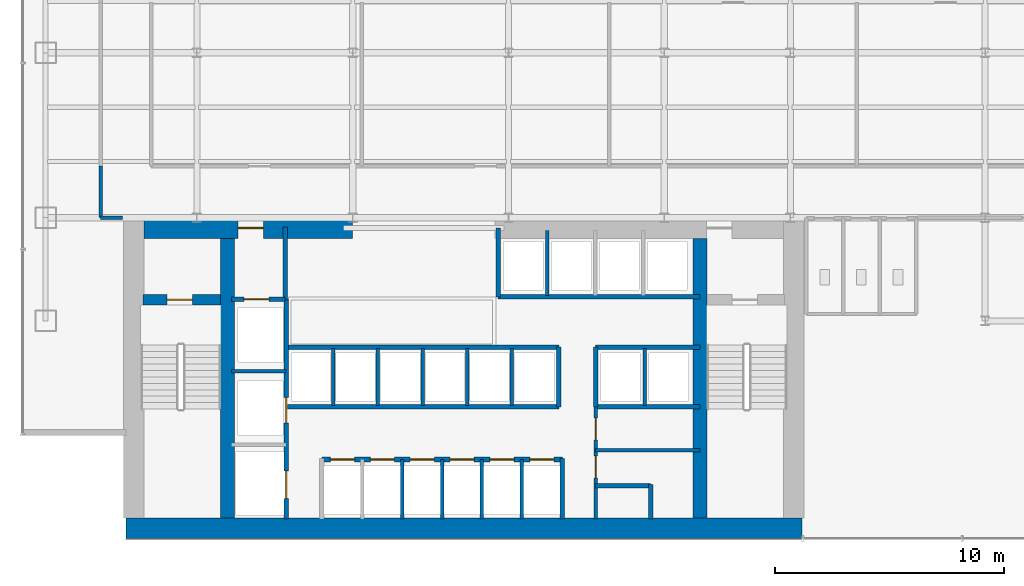
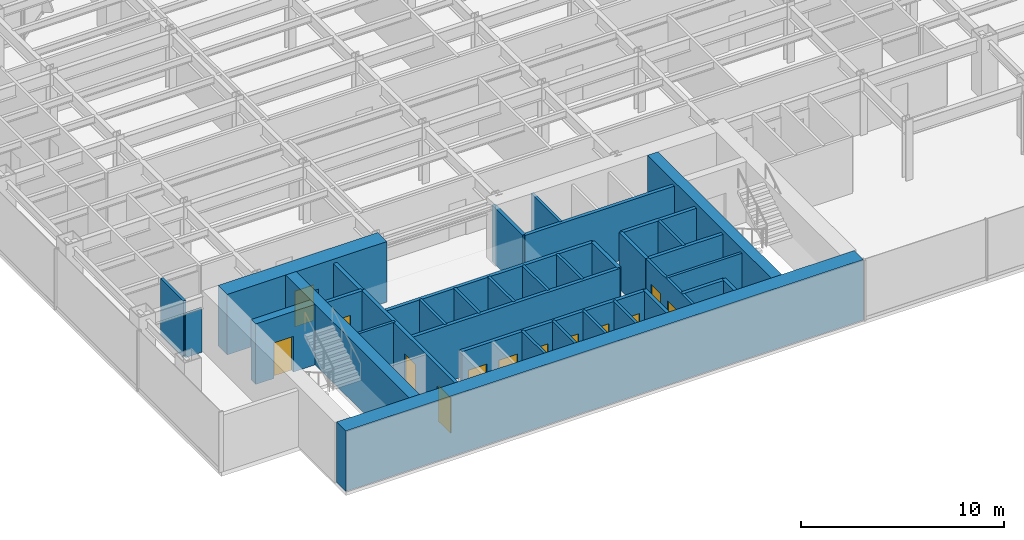
# One storey, part 17 of 22: 36 walls, 13 doors, 13 openings.
"""IFC4 building model written with IfcOpenShell, lengths in metres."""

from ifc_helpers import new_model, si_unit, derived_unit, direction, frame, frame_2d, origin, place, context, subcontext, project, spatial, rectangle, extrude, source, transform, mapped, material, layer, layer_set, type_object, element, fill, save


model = new_model("IFC4")

# Units and contexts
model_context = context("Model", 3, precision=1e-05, world=origin(), true_north=direction((0.0, 1.0)))
body_context = subcontext(model_context, "Body", "Model", "MODEL_VIEW")
ifc_project = project(units=[si_unit("LENGTHUNIT", "METRE"), si_unit("AREAUNIT", "SQUARE_METRE"), si_unit("VOLUMEUNIT", "CUBIC_METRE"), si_unit("PLANEANGLEUNIT", "RADIAN"), si_unit("MASSUNIT", "GRAM", prefix="KILO"), derived_unit("THERMALTRANSMITTANCEUNIT", [(si_unit("POWERUNIT", "WATT"), 1), (si_unit("LENGTHUNIT", "METRE"), -2), (si_unit("THERMODYNAMICTEMPERATUREUNIT", "KELVIN"), -1)])], contexts=[model_context])

# Site, building, storey
site_placement = place(None, origin())
site = spatial("IfcSite", under=ifc_project, at=site_placement, CompositionType="ELEMENT")
building_placement = place(site_placement, origin())
building = spatial("IfcBuilding", under=site, at=building_placement, Name="Skarnbrae Concourse Arena and Tower", CompositionType="ELEMENT")
storey_placement = place(building_placement, frame((0.0, 0.0, 32.5)))
storey = spatial("IfcBuildingStorey", under=building, at=storey_placement, Name="L06", CompositionType="ELEMENT", Elevation=32.5)

# Wall
ifc_material_1 = material(Name="Concrete 70 MPa (C70/85)", Category="concrete")
ifc_layer_1 = layer(ifc_material_1, 0.89990234375)
ifc_layer_set_1 = layer_set([ifc_layer_1], Name="Concrete 70 MPa (C70/85)")
wall_type_1 = type_object("IfcWallType", Name="WALL-CORE-900-C70", PredefinedType="SHEAR", material=ifc_layer_set_1)
shared_shape_1 = source(origin(), body_context, "Body", "SweptSolid", [
    extrude(rectangle(XDim=29.5, YDim=0.89990234375, at=frame_2d((14.75, 0.0))), origin(), (0.0, 0.0, 1.0), 3.64990234375),
])
wall_1_placement = place(storey_placement, frame((4.5, 0.449951171875, 0.0), z_axis=(0.0, 0.0, 1.0), x_axis=(1.0, 0.0, 0.0)))
element("IfcWall", 1, at=wall_1_placement, inside=storey, type_object=wall_type_1, Name="L06 Rear core shear wall CW-S", PredefinedType="SHEAR", context=body_context, shape_type="MappedRepresentation", body=[
    mapped(shared_shape_1, transform((0.0, 0.0, 0.0))),
])

# Wall, opening, door
shared_shape_2 = source(origin(), body_context, "Body", "SweptSolid", [
    extrude(rectangle(XDim=9.099853515625, YDim=0.89990234375, at=frame_2d((4.5498046875, 0.0))), origin(), (0.0, 0.0, 1.0), 3.64990234375),
])
wall_2_placement = place(storey_placement, frame((5.300048828125, 13.550048828125, 0.0), z_axis=(0.0, 0.0, 1.0), x_axis=(1.0, 0.0, 0.0)))
wall_2 = element("IfcWall", 2, at=wall_2_placement, inside=storey, type_object=wall_type_1, Name="L06 Rear core shear wall CW-NW", PredefinedType="SHEAR", context=body_context, shape_type="MappedRepresentation", body=[
    mapped(shared_shape_2, transform((0.0, 0.0, 0.0))),
])
opening_1_placement = place(wall_2_placement, frame((4.10009765625, 0.0, 0.0)))
opening_1 = element("IfcOpeningElement", 3, at=opening_1_placement, cuts=wall_2, Name="Opening DT-03", PredefinedType="OPENING", context=body_context, shape_type="SweptSolid", body=[
    extrude(rectangle(XDim=1.10009765625, YDim=2.14990234375, at=frame_2d((0.550048828125, 1.074951171875))), frame((0.0, 0.4599609375, 0.0), z_axis=(0.0, -1.0, 0.0), x_axis=(1.0, 0.0, 0.0)), (0.0, 0.0, 1.0), 0.919921875),
])
ifc_material_2 = material(Name="Steel CSA G40.21 350W", Category="steel")
door_type_1 = type_object("IfcDoorType", Name="DOOR-FIRE-1100-90M", OperationType="NOTDEFINED", PredefinedType="DOOR", material=ifc_material_2)
shared_shape_3 = source(origin(), body_context, "Body", "SweptSolid", [
    extrude(rectangle(XDim=1.10009765625, YDim=2.14990234375, at=frame_2d((0.550048828125, 1.074951171875))), frame((0.0, 0.02490234375, 0.0), z_axis=(0.0, -1.0, 0.0), x_axis=(1.0, 0.0, 0.0)), (0.0, 0.0, 1.0), 0.050048828125),
])
door_1_placement = place(opening_1_placement, origin())
door_1 = element("IfcDoor", 4, at=door_1_placement, inside=storey, type_object=door_type_1, Name="D-0330 Firefighting Lobby Exit Door", OperationType="SINGLE_SWING_RIGHT", OverallHeight=2.14990234375, OverallWidth=1.10009765625, PredefinedType="DOOR", context=body_context, shape_type="MappedRepresentation", body=[
    mapped(shared_shape_3, transform((0.0, 0.0, 0.0))),
])
fill(opening_1, door_1)

# Walls
ifc_layer_2 = layer(ifc_material_1, 0.60009765625)
ifc_layer_set_2 = layer_set([ifc_layer_2], Name="Concrete 70 MPa (C70/85)")
wall_type_2 = type_object("IfcWallType", Name="WALL-CORE-600-C70", PredefinedType="SHEAR", material=ifc_layer_set_2)
shared_shape_4 = source(origin(), body_context, "Body", "SweptSolid", [
    extrude(rectangle(XDim=12.2001953125, YDim=0.60009765625, at=frame_2d((6.10009765625, 0.0))), origin(), (0.0, 0.0, 1.0), 3.64990234375),
])
for number, where, z_axis, x_axis, name in (
    (5, (8.93994140625, 0.89990234375, 0.0), (0.0, 0.0, 1.0), (0.0, 1.0, 0.0), "L06 Rear core shear wall CW-WEB-W"),
    (6, (29.56005859375, 0.89990234375, 0.0), (0.0, 0.0, 1.0), (0.0, 1.0, 0.0), "L06 Rear core shear wall CW-WEB-E"),
):
    element("IfcWall", number, at=place(storey_placement, frame(where, z_axis=z_axis, x_axis=x_axis)), inside=storey, type_object=wall_type_2, Name=name, PredefinedType="SHEAR", context=body_context, shape_type="MappedRepresentation", body=[
        mapped(shared_shape_4, transform((0.0, 0.0, 0.0))),
    ])

# Wall, opening, door
ifc_material_3 = material(Name="Concrete 50 MPa (C50/60)", Category="concrete")
ifc_layer_3 = layer(ifc_material_3, 0.449951171875)
ifc_layer_set_3 = layer_set([ifc_layer_3], Name="Concrete 50 MPa (C50/60)")
wall_type_3 = type_object("IfcWallType", Name="WALL-CORE-450-C50", PredefinedType="SHEAR", material=ifc_layer_set_3)
shared_shape_5 = source(origin(), body_context, "Body", "SweptSolid", [
    extrude(rectangle(XDim=3.389892578125, YDim=0.449951171875, at=frame_2d((1.69482421875, 0.0))), origin(), (0.0, 0.0, 1.0), 3.64990234375),
])
wall_3_placement = place(storey_placement, frame((5.25, 10.419921875, 0.0), z_axis=(0.0, 0.0, 1.0), x_axis=(1.0, 0.0, 0.0)))
wall_3 = element("IfcWall", 7, at=wall_3_placement, inside=storey, type_object=wall_type_3, Name="L06 Rear core shear wall CW-ST1-N", PredefinedType="SHEAR", context=body_context, shape_type="MappedRepresentation", body=[
    mapped(shared_shape_5, transform((0.0, 0.0, 0.0))),
])
opening_2_placement = place(wall_3_placement, frame((1.050048828125, 0.0, 0.0)))
opening_2 = element("IfcOpeningElement", 8, at=opening_2_placement, cuts=wall_3, Name="Opening DT-03", PredefinedType="OPENING", context=body_context, shape_type="SweptSolid", body=[
    extrude(rectangle(XDim=1.10009765625, YDim=2.14990234375, at=frame_2d((0.550048828125, 1.074951171875))), frame((0.0, 0.23486328125, 0.0), z_axis=(0.0, -1.0, 0.0), x_axis=(1.0, 0.0, 0.0)), (0.0, 0.0, 1.0), 0.469970703125),
])
door_2_placement = place(opening_2_placement, frame((1.10009765625, 0.0, 0.0), z_axis=(0.0, 0.0, 1.0), x_axis=(-1.0, 0.0, 0.0)))
door_2 = element("IfcDoor", 9, at=door_2_placement, inside=storey, type_object=door_type_1, Name="D-0328 Stair ST-1 Door", OperationType="SINGLE_SWING_LEFT", OverallHeight=2.14990234375, OverallWidth=1.10009765625, PredefinedType="DOOR", context=body_context, shape_type="MappedRepresentation", body=[
    mapped(shared_shape_3, transform((0.0, 0.0, 0.0))),
])
fill(opening_2, door_2)

# Wall
ifc_material_4 = material(Name="Gypsum board on cold-formed steel studs", Category="steel")
ifc_layer_4 = layer(ifc_material_4, 0.199951171875)
ifc_layer_set_4 = layer_set([ifc_layer_4], Name="Gypsum board on cold-formed steel studs")
wall_type_4 = type_object("IfcWallType", Name="WALL-PART-200-2HR", PredefinedType="PARTITIONING", material=ifc_layer_set_4)
shared_shape_6 = source(origin(), body_context, "Body", "SweptSolid", [
    extrude(rectangle(XDim=3.18017578125, YDim=0.199951171875, at=frame_2d((1.590087890625, 0.0))), origin(), (0.0, 0.0, 1.0), 3.39990234375),
])
wall_4_placement = place(storey_placement, frame((11.449951171875, 10.419921875, 0.0), z_axis=(0.0, 0.0, 1.0), x_axis=(0.0, 1.0, 0.0)))
element("IfcWall", 10, at=wall_4_placement, inside=storey, type_object=wall_type_4, Name="L06 Interior partition wall W-L06-FFL-E", PredefinedType="PARTITIONING", context=body_context, shape_type="MappedRepresentation", body=[
    mapped(shared_shape_6, transform((0.0, 0.0, 0.0))),
])

# Wall, opening, door
shared_shape_7 = source(origin(), body_context, "Body", "SweptSolid", [
    extrude(rectangle(XDim=2.349853515625, YDim=0.199951171875, at=frame_2d((1.1748046875, 0.0))), origin(), (0.0, 0.0, 1.0), 3.39990234375),
])
wall_5_placement = place(storey_placement, frame((9.10009765625, 10.449951171875, 0.0), z_axis=(0.0, 0.0, 1.0), x_axis=(1.0, 0.0, 0.0)))
wall_5 = element("IfcWall", 11, at=wall_5_placement, inside=storey, type_object=wall_type_4, Name="L06 Interior partition wall W-L06-FL1-N", PredefinedType="PARTITIONING", context=body_context, shape_type="MappedRepresentation", body=[
    mapped(shared_shape_7, transform((0.0, 0.0, 0.0))),
])
opening_3_placement = place(wall_5_placement, frame((0.550048828125, 0.0, 0.0)))
opening_3 = element("IfcOpeningElement", 12, at=opening_3_placement, cuts=wall_5, Name="Opening LD-01", PredefinedType="OPENING", context=body_context, shape_type="SweptSolid", body=[
    extrude(rectangle(XDim=1.10009765625, YDim=2.14990234375, at=frame_2d((0.550048828125, 1.074951171875))), frame((0.0, 0.10986328125, 0.0), z_axis=(0.0, -1.0, 0.0), x_axis=(1.0, 0.0, 0.0)), (0.0, 0.0, 1.0), 0.219970703125),
])
door_type_2 = type_object("IfcDoorType", Name="DOOR-LIFT-SLIDE-1100", OperationType="SLIDING_TO_LEFT", PredefinedType="DOOR", material=ifc_material_2)
door_3_placement = place(opening_3_placement, origin())
door_3 = element("IfcDoor", 13, at=door_3_placement, inside=storey, type_object=door_type_2, Name="D-0332 Firefighting Lift Landing Door FL-01", OperationType="SLIDING_TO_LEFT", OverallHeight=2.14990234375, OverallWidth=1.10009765625, PredefinedType="DOOR", context=body_context, shape_type="MappedRepresentation", body=[
    mapped(shared_shape_3, transform((0.0, 0.0, 0.0))),
])
fill(opening_3, door_3)

# Wall, openings, doors
shared_shape_8 = source(origin(), body_context, "Body", "SweptSolid", [
    extrude(rectangle(XDim=9.599853515625, YDim=0.199951171875, at=frame_2d((4.7998046875, 0.0))), origin(), (0.0, 0.0, 1.0), 3.39990234375),
])
wall_6_placement = place(storey_placement, frame((11.5, 0.85009765625, 0.0), z_axis=(0.0, 0.0, 1.0), x_axis=(0.0, 1.0, 0.0)))
wall_6 = element("IfcWall", 14, at=wall_6_placement, inside=storey, type_object=wall_type_4, Name="L06 Interior partition wall W-L06-FL-E", PredefinedType="PARTITIONING", context=body_context, shape_type="MappedRepresentation", body=[
    mapped(shared_shape_8, transform((0.0, 0.0, 0.0))),
])
opening_4_placement = place(wall_6_placement, frame((4.199951171875, 0.0, 0.0)))
opening_4 = element("IfcOpeningElement", 15, at=opening_4_placement, cuts=wall_6, Name="Opening LD-01", PredefinedType="OPENING", context=body_context, shape_type="SweptSolid", body=[
    extrude(rectangle(XDim=1.10009765625, YDim=2.14990234375, at=frame_2d((0.550048828125, 1.074951171875))), frame((0.0, 0.10986328125, 0.0), z_axis=(0.0, -1.0, 0.0), x_axis=(1.0, 0.0, 0.0)), (0.0, 0.0, 1.0), 0.219970703125),
])
opening_5_placement = place(wall_6_placement, frame((0.89990234375, 0.0, 0.0)))
opening_5 = element("IfcOpeningElement", 16, at=opening_5_placement, cuts=wall_6, Name="Opening LD-02", PredefinedType="OPENING", context=body_context, shape_type="SweptSolid", body=[
    extrude(rectangle(XDim=1.199951171875, YDim=2.14990234375, at=frame_2d((0.60009765625, 1.074951171875))), frame((0.0, 0.10986328125, 0.0), z_axis=(0.0, -1.0, 0.0), x_axis=(1.0, 0.0, 0.0)), (0.0, 0.0, 1.0), 0.219970703125),
])
door_4_placement = place(opening_4_placement, frame((1.10009765625, 0.0, 0.0), z_axis=(0.0, 0.0, 1.0), x_axis=(-1.0, 0.0, 0.0)))
door_4 = element("IfcDoor", 17, at=door_4_placement, inside=storey, type_object=door_type_2, Name="D-0333 Firefighting Lift Landing Door FL-02", OperationType="SLIDING_TO_LEFT", OverallHeight=2.14990234375, OverallWidth=1.10009765625, PredefinedType="DOOR", context=body_context, shape_type="MappedRepresentation", body=[
    mapped(shared_shape_3, transform((0.0, 0.0, 0.0))),
])
fill(opening_4, door_4)
door_type_3 = type_object("IfcDoorType", Name="DOOR-LIFT-SLIDE-1200", OperationType="SLIDING_TO_LEFT", PredefinedType="DOOR", material=ifc_material_2)
shared_shape_9 = source(origin(), body_context, "Body", "SweptSolid", [
    extrude(rectangle(XDim=1.199951171875, YDim=2.14990234375, at=frame_2d((0.60009765625, 1.074951171875))), frame((0.0, 0.02490234375, 0.0), z_axis=(0.0, -1.0, 0.0), x_axis=(1.0, 0.0, 0.0)), (0.0, 0.0, 1.0), 0.050048828125),
])
door_5_placement = place(opening_5_placement, frame((1.199951171875, 0.0, 0.0), z_axis=(0.0, 0.0, 1.0), x_axis=(-1.0, 0.0, 0.0)))
door_5 = element("IfcDoor", 18, at=door_5_placement, inside=storey, type_object=door_type_3, Name="D-0334 Service Lift Landing Door SV-01", OperationType="SLIDING_TO_LEFT", OverallHeight=2.14990234375, OverallWidth=1.199951171875, PredefinedType="DOOR", context=body_context, shape_type="MappedRepresentation", body=[
    mapped(shared_shape_9, transform((0.0, 0.0, 0.0))),
])
fill(opening_5, door_5)

# Walls
ifc_layer_5 = layer(ifc_material_4, 0.14990234375)
ifc_layer_set_5 = layer_set([ifc_layer_5], Name="Gypsum board on cold-formed steel studs")
wall_type_5 = type_object("IfcWallType", Name="WALL-PART-150", PredefinedType="PARTITIONING", material=ifc_layer_set_5)
shared_shape_10 = source(origin(), body_context, "Body", "SweptSolid", [
    extrude(rectangle(XDim=2.39990234375, YDim=0.14990234375, at=frame_2d((1.199951171875, 0.0))), origin(), (0.0, 0.0, 1.0), 3.39990234375),
])
wall_7_placement = place(storey_placement, frame((9.10009765625, 7.300048828125, 0.0), z_axis=(0.0, 0.0, 1.0), x_axis=(1.0, 0.0, 0.0)))
element("IfcWall", 19, at=wall_7_placement, inside=storey, type_object=wall_type_5, Name="L06 Interior partition wall W-L06-FL-D2", PredefinedType="PARTITIONING", context=body_context, shape_type="MappedRepresentation", body=[
    mapped(shared_shape_10, transform((0.0, 0.0, 0.0))),
])
shared_shape_11 = source(origin(), body_context, "Body", "SweptSolid", [
    extrude(rectangle(XDim=2.64990234375, YDim=0.199951171875, at=frame_2d((1.324951171875, 0.0))), origin(), (0.0, 0.0, 1.0), 3.39990234375),
])
wall_8_placement = place(storey_placement, frame((23.550048828125, 0.85009765625, 0.0), z_axis=(0.0, 0.0, 1.0), x_axis=(0.0, 1.0, 0.0)))
element("IfcWall", 20, at=wall_8_placement, inside=storey, type_object=wall_type_4, Name="L06 Interior partition wall W-L06-B1-E", PredefinedType="PARTITIONING", context=body_context, shape_type="MappedRepresentation", body=[
    mapped(shared_shape_11, transform((0.0, 0.0, 0.0))),
])

# Wall, openings, doors
shared_shape_12 = source(origin(), body_context, "Body", "SweptSolid", [
    extrude(rectangle(XDim=10.5, YDim=0.199951171875, at=frame_2d((5.25, 0.0))), origin(), (0.0, 0.0, 1.0), 3.39990234375),
])
wall_9_placement = place(storey_placement, frame((13.050048828125, 3.449951171875, 0.0), z_axis=(0.0, 0.0, 1.0), x_axis=(1.0, 0.0, 0.0)))
wall_9 = element("IfcWall", 21, at=wall_9_placement, inside=storey, type_object=wall_type_4, Name="L06 Interior partition wall W-L06-B1-N", PredefinedType="PARTITIONING", context=body_context, shape_type="MappedRepresentation", body=[
    mapped(shared_shape_12, transform((0.0, 0.0, 0.0))),
])
opening_6_placement = place(wall_9_placement, frame((0.3798828125, 0.0, 0.0)))
opening_6 = element("IfcOpeningElement", 22, at=opening_6_placement, cuts=wall_9, Name="Opening LD-03", PredefinedType="OPENING", context=body_context, shape_type="SweptSolid", body=[
    extrude(rectangle(XDim=1.050048828125, YDim=2.14990234375, at=frame_2d((0.52490234375, 1.074951171875))), frame((0.0, 0.10986328125, 0.0), z_axis=(0.0, -1.0, 0.0), x_axis=(1.0, 0.0, 0.0)), (0.0, 0.0, 1.0), 0.219970703125),
])
opening_7_placement = place(wall_9_placement, frame((2.1201171875, 0.0, 0.0)))
opening_7 = element("IfcOpeningElement", 23, at=opening_7_placement, cuts=wall_9, Name="Opening LD-03", PredefinedType="OPENING", context=body_context, shape_type="SweptSolid", body=[
    extrude(rectangle(XDim=1.050048828125, YDim=2.14990234375, at=frame_2d((0.52490234375, 1.074951171875))), frame((0.0, 0.10986328125, 0.0), z_axis=(0.0, -1.0, 0.0), x_axis=(1.0, 0.0, 0.0)), (0.0, 0.0, 1.0), 0.219970703125),
])
opening_8_placement = place(wall_9_placement, frame((3.860107421875, 0.0, 0.0)))
opening_8 = element("IfcOpeningElement", 24, at=opening_8_placement, cuts=wall_9, Name="Opening LD-03", PredefinedType="OPENING", context=body_context, shape_type="SweptSolid", body=[
    extrude(rectangle(XDim=1.050048828125, YDim=2.14990234375, at=frame_2d((0.52490234375, 1.074951171875))), frame((0.0, 0.10986328125, 0.0), z_axis=(0.0, -1.0, 0.0), x_axis=(1.0, 0.0, 0.0)), (0.0, 0.0, 1.0), 0.219970703125),
])
opening_9_placement = place(wall_9_placement, frame((5.60009765625, 0.0, 0.0)))
opening_9 = element("IfcOpeningElement", 25, at=opening_9_placement, cuts=wall_9, Name="Opening LD-03", PredefinedType="OPENING", context=body_context, shape_type="SweptSolid", body=[
    extrude(rectangle(XDim=1.050048828125, YDim=2.14990234375, at=frame_2d((0.52490234375, 1.074951171875))), frame((0.0, 0.10986328125, 0.0), z_axis=(0.0, -1.0, 0.0), x_axis=(1.0, 0.0, 0.0)), (0.0, 0.0, 1.0), 0.219970703125),
])
opening_10_placement = place(wall_9_placement, frame((7.340087890625, 0.0, 0.0)))
opening_10 = element("IfcOpeningElement", 26, at=opening_10_placement, cuts=wall_9, Name="Opening LD-03", PredefinedType="OPENING", context=body_context, shape_type="SweptSolid", body=[
    extrude(rectangle(XDim=1.050048828125, YDim=2.14990234375, at=frame_2d((0.52490234375, 1.074951171875))), frame((0.0, 0.10986328125, 0.0), z_axis=(0.0, -1.0, 0.0), x_axis=(1.0, 0.0, 0.0)), (0.0, 0.0, 1.0), 0.219970703125),
])
opening_11_placement = place(wall_9_placement, frame((9.080078125, 0.0, 0.0)))
opening_11 = element("IfcOpeningElement", 27, at=opening_11_placement, cuts=wall_9, Name="Opening LD-03", PredefinedType="OPENING", context=body_context, shape_type="SweptSolid", body=[
    extrude(rectangle(XDim=1.050048828125, YDim=2.14990234375, at=frame_2d((0.52490234375, 1.074951171875))), frame((0.0, 0.10986328125, 0.0), z_axis=(0.0, -1.0, 0.0), x_axis=(1.0, 0.0, 0.0)), (0.0, 0.0, 1.0), 0.219970703125),
])
ifc_material_5 = material(Name="Bronze anodised aluminium 6063-T6", Category="aluminium")
door_type_4 = type_object("IfcDoorType", Name="DOOR-LIFT-SLIDE-1050", OperationType="SLIDING_TO_LEFT", PredefinedType="DOOR", material=ifc_material_5)
shared_shape_13 = source(origin(), body_context, "Body", "SweptSolid", [
    extrude(rectangle(XDim=1.050048828125, YDim=2.14990234375, at=frame_2d((0.52490234375, 1.074951171875))), frame((0.0, 0.02490234375, 0.0), z_axis=(0.0, -1.0, 0.0), x_axis=(1.0, 0.0, 0.0)), (0.0, 0.0, 1.0), 0.050048828125),
])
door_6_placement = place(opening_6_placement, origin())
door_6 = element("IfcDoor", 28, at=door_6_placement, inside=storey, type_object=door_type_4, Name="D-0335 Passenger Lift Landing Door PL-1A", OperationType="SLIDING_TO_LEFT", OverallHeight=2.14990234375, OverallWidth=1.050048828125, PredefinedType="DOOR", context=body_context, shape_type="MappedRepresentation", body=[
    mapped(shared_shape_13, transform((0.0, 0.0, 0.0))),
])
fill(opening_6, door_6)
door_7_placement = place(opening_7_placement, origin())
door_7 = element("IfcDoor", 29, at=door_7_placement, inside=storey, type_object=door_type_4, Name="D-0336 Passenger Lift Landing Door PL-1B", OperationType="SLIDING_TO_LEFT", OverallHeight=2.14990234375, OverallWidth=1.050048828125, PredefinedType="DOOR", context=body_context, shape_type="MappedRepresentation", body=[
    mapped(shared_shape_13, transform((0.0, 0.0, 0.0))),
])
fill(opening_7, door_7)
door_8_placement = place(opening_8_placement, origin())
door_8 = element("IfcDoor", 30, at=door_8_placement, inside=storey, type_object=door_type_4, Name="D-0337 Passenger Lift Landing Door PL-1C", OperationType="SLIDING_TO_LEFT", OverallHeight=2.14990234375, OverallWidth=1.050048828125, PredefinedType="DOOR", context=body_context, shape_type="MappedRepresentation", body=[
    mapped(shared_shape_13, transform((0.0, 0.0, 0.0))),
])
fill(opening_8, door_8)
door_9_placement = place(opening_9_placement, origin())
door_9 = element("IfcDoor", 31, at=door_9_placement, inside=storey, type_object=door_type_4, Name="D-0338 Passenger Lift Landing Door PL-1D", OperationType="SLIDING_TO_LEFT", OverallHeight=2.14990234375, OverallWidth=1.050048828125, PredefinedType="DOOR", context=body_context, shape_type="MappedRepresentation", body=[
    mapped(shared_shape_13, transform((0.0, 0.0, 0.0))),
])
fill(opening_9, door_9)
door_10_placement = place(opening_10_placement, origin())
door_10 = element("IfcDoor", 32, at=door_10_placement, inside=storey, type_object=door_type_4, Name="D-0339 Passenger Lift Landing Door PL-1E", OperationType="SLIDING_TO_LEFT", OverallHeight=2.14990234375, OverallWidth=1.050048828125, PredefinedType="DOOR", context=body_context, shape_type="MappedRepresentation", body=[
    mapped(shared_shape_13, transform((0.0, 0.0, 0.0))),
])
fill(opening_10, door_10)
door_11_placement = place(opening_11_placement, origin())
door_11 = element("IfcDoor", 33, at=door_11_placement, inside=storey, type_object=door_type_4, Name="D-0340 Passenger Lift Landing Door PL-1F", OperationType="SLIDING_TO_LEFT", OverallHeight=2.14990234375, OverallWidth=1.050048828125, PredefinedType="DOOR", context=body_context, shape_type="MappedRepresentation", body=[
    mapped(shared_shape_13, transform((0.0, 0.0, 0.0))),
])
fill(opening_11, door_11)

# Walls
shared_shape_14 = source(origin(), body_context, "Body", "SweptSolid", [
    extrude(rectangle(XDim=2.599853515625, YDim=0.14990234375, at=frame_2d((1.2998046875, 0.0))), origin(), (0.0, 0.0, 1.0), 3.39990234375),
])
for number, where, z_axis, x_axis, name in (
    (34, (16.56005859375, 0.85009765625, 0.0), (0.0, 0.0, 1.0), (0.0, 1.0, 0.0), "L06 Interior partition wall W-L06-B1-P2"),
    (35, (18.300048828125, 0.85009765625, 0.0), (0.0, 0.0, 1.0), (0.0, 1.0, 0.0), "L06 Interior partition wall W-L06-B1-P3"),
    (36, (20.0400390625, 0.85009765625, 0.0), (0.0, 0.0, 1.0), (0.0, 1.0, 0.0), "L06 Interior partition wall W-L06-B1-P4"),
    (37, (21.780029296875, 0.85009765625, 0.0), (0.0, 0.0, 1.0), (0.0, 1.0, 0.0), "L06 Interior partition wall W-L06-B1-P5"),
):
    element("IfcWall", number, at=place(storey_placement, frame(where, z_axis=z_axis, x_axis=x_axis)), inside=storey, type_object=wall_type_5, Name=name, PredefinedType="PARTITIONING", context=body_context, shape_type="MappedRepresentation", body=[
        mapped(shared_shape_14, transform((0.0, 0.0, 0.0))),
    ])
shared_shape_15 = source(origin(), body_context, "Body", "SweptSolid", [
    extrude(rectangle(XDim=11.849853515625, YDim=0.199951171875, at=frame_2d((5.9248046875, 0.0))), origin(), (0.0, 0.0, 1.0), 3.39990234375),
])
for number, where, z_axis, x_axis, name in (
    (38, (11.550048828125, 5.75, 0.0), (0.0, 0.0, 1.0), (1.0, 0.0, 0.0), "L06 Interior partition wall W-L06-B2-S"),
    (39, (11.550048828125, 8.35009765625, 0.0), (0.0, 0.0, 1.0), (1.0, 0.0, 0.0), "L06 Interior partition wall W-L06-B2-N"),
):
    element("IfcWall", number, at=place(storey_placement, frame(where, z_axis=z_axis, x_axis=x_axis)), inside=storey, type_object=wall_type_4, Name=name, PredefinedType="PARTITIONING", context=body_context, shape_type="MappedRepresentation", body=[
        mapped(shared_shape_15, transform((0.0, 0.0, 0.0))),
    ])
shared_shape_16 = source(origin(), body_context, "Body", "SweptSolid", [
    extrude(rectangle(XDim=2.60009765625, YDim=0.199951171875, at=frame_2d((1.300048828125, 0.0))), origin(), (0.0, 0.0, 1.0), 3.39990234375),
])
for number, where, z_axis, x_axis, name in (
    (40, (23.39990234375, 5.75, 0.0), (0.0, 0.0, 1.0), (0.0, 1.0, 0.0), "L06 Interior partition wall W-L06-B2-E"),
    (41, (25.0, 5.75, 0.0), (0.0, 0.0, 1.0), (0.0, 1.0, 0.0), "L06 Interior partition wall W-L06-B3S-W"),
):
    element("IfcWall", number, at=place(storey_placement, frame(where, z_axis=z_axis, x_axis=x_axis)), inside=storey, type_object=wall_type_4, Name=name, PredefinedType="PARTITIONING", context=body_context, shape_type="MappedRepresentation", body=[
        mapped(shared_shape_16, transform((0.0, 0.0, 0.0))),
    ])
shared_shape_17 = source(origin(), body_context, "Body", "SweptSolid", [
    extrude(rectangle(XDim=2.5, YDim=0.14990234375, at=frame_2d((1.25, 0.0))), origin(), (0.0, 0.0, 1.0), 3.39990234375),
])
for number, where, z_axis, x_axis, name in (
    (42, (13.550048828125, 5.800048828125, 0.0), (0.0, 0.0, 1.0), (0.0, 1.0, 0.0), "L06 Interior partition wall W-L06-B2-P1"),
    (43, (15.5, 5.800048828125, 0.0), (0.0, 0.0, 1.0), (0.0, 1.0, 0.0), "L06 Interior partition wall W-L06-B2-P2"),
    (44, (17.449951171875, 5.800048828125, 0.0), (0.0, 0.0, 1.0), (0.0, 1.0, 0.0), "L06 Interior partition wall W-L06-B2-P3"),
    (45, (19.39990234375, 5.800048828125, 0.0), (0.0, 0.0, 1.0), (0.0, 1.0, 0.0), "L06 Interior partition wall W-L06-B2-P4"),
    (46, (21.35009765625, 5.800048828125, 0.0), (0.0, 0.0, 1.0), (0.0, 1.0, 0.0), "L06 Interior partition wall W-L06-B2-P5"),
    (47, (27.139892578125, 5.800048828125, 0.0), (0.0, 0.0, 1.0), (0.0, 1.0, 0.0), "L06 Interior partition wall W-L06-B3S-P1"),
):
    element("IfcWall", number, at=place(storey_placement, frame(where, z_axis=z_axis, x_axis=x_axis)), inside=storey, type_object=wall_type_5, Name=name, PredefinedType="PARTITIONING", context=body_context, shape_type="MappedRepresentation", body=[
        mapped(shared_shape_17, transform((0.0, 0.0, 0.0))),
    ])
shared_shape_18 = source(origin(), body_context, "Body", "SweptSolid", [
    extrude(rectangle(XDim=8.800048828125, YDim=0.199951171875, at=frame_2d((4.39990234375, 0.0))), origin(), (0.0, 0.0, 1.0), 3.39990234375),
])
wall_10_placement = place(storey_placement, frame((20.75, 10.550048828125, 0.0), z_axis=(0.0, 0.0, 1.0), x_axis=(1.0, 0.0, 0.0)))
element("IfcWall", 48, at=wall_10_placement, inside=storey, type_object=wall_type_4, Name="L06 Interior partition wall W-L06-B3N-S", PredefinedType="PARTITIONING", context=body_context, shape_type="MappedRepresentation", body=[
    mapped(shared_shape_18, transform((0.0, 0.0, 0.0))),
])
shared_shape_19 = source(origin(), body_context, "Body", "SweptSolid", [
    extrude(rectangle(XDim=3.0, YDim=0.199951171875, at=frame_2d((1.5, 0.0))), origin(), (0.0, 0.0, 1.0), 3.39990234375),
])
wall_11_placement = place(storey_placement, frame((20.75, 10.550048828125, 0.0), z_axis=(0.0, 0.0, 1.0), x_axis=(0.0, 1.0, 0.0)))
element("IfcWall", 49, at=wall_11_placement, inside=storey, type_object=wall_type_4, Name="L06 Interior partition wall W-L06-B3N-W", PredefinedType="PARTITIONING", context=body_context, shape_type="MappedRepresentation", body=[
    mapped(shared_shape_19, transform((0.0, 0.0, 0.0))),
])
shared_shape_20 = source(origin(), body_context, "Body", "SweptSolid", [
    extrude(rectangle(XDim=2.849853515625, YDim=0.14990234375, at=frame_2d((1.4248046875, 0.0))), origin(), (0.0, 0.0, 1.0), 3.39990234375),
])
wall_12_placement = place(storey_placement, frame((22.889892578125, 10.60009765625, 0.0), z_axis=(0.0, 0.0, 1.0), x_axis=(0.0, 1.0, 0.0)))
element("IfcWall", 50, at=wall_12_placement, inside=storey, type_object=wall_type_5, Name="L06 Interior partition wall W-L06-B3N-P1", PredefinedType="PARTITIONING", context=body_context, shape_type="MappedRepresentation", body=[
    mapped(shared_shape_20, transform((0.0, 0.0, 0.0))),
])
shared_shape_21 = source(origin(), body_context, "Body", "SweptSolid", [
    extrude(rectangle(XDim=4.550048828125, YDim=0.199951171875, at=frame_2d((2.27490234375, 0.0))), origin(), (0.0, 0.0, 1.0), 3.39990234375),
])
for number, where, z_axis, x_axis, name in (
    (51, (25.0, 8.35009765625, 0.0), (0.0, 0.0, 1.0), (1.0, 0.0, 0.0), "L06 Interior partition wall W-L06-B3S-N"),
    (52, (25.0, 5.75, 0.0), (0.0, 0.0, 1.0), (1.0, 0.0, 0.0), "L06 Interior partition wall W-L06-B3S-S"),
):
    element("IfcWall", number, at=place(storey_placement, frame(where, z_axis=z_axis, x_axis=x_axis)), inside=storey, type_object=wall_type_4, Name=name, PredefinedType="PARTITIONING", context=body_context, shape_type="MappedRepresentation", body=[
        mapped(shared_shape_21, transform((0.0, 0.0, 0.0))),
    ])

# Wall, openings, doors
ifc_layer_6 = layer(ifc_material_4, 0.14990234375)
ifc_layer_set_6 = layer_set([ifc_layer_6], Name="Gypsum board on cold-formed steel studs")
wall_type_6 = type_object("IfcWallType", Name="WALL-PART-150-1HR", PredefinedType="PARTITIONING", material=ifc_layer_set_6)
shared_shape_22 = source(origin(), body_context, "Body", "SweptSolid", [
    extrude(rectangle(XDim=4.89990234375, YDim=0.14990234375, at=frame_2d((2.449951171875, 0.0))), origin(), (0.0, 0.0, 1.0), 3.39990234375),
])
wall_13_placement = place(storey_placement, frame((25.0, 0.85009765625, 0.0), z_axis=(0.0, 0.0, 1.0), x_axis=(0.0, 1.0, 0.0)))
wall_13 = element("IfcWall", 53, at=wall_13_placement, inside=storey, type_object=wall_type_6, Name="L06 Interior partition wall W-L06-CSV-W", PredefinedType="PARTITIONING", context=body_context, shape_type="MappedRepresentation", body=[
    mapped(shared_shape_22, transform((0.0, 0.0, 0.0))),
])
opening_12_placement = place(wall_13_placement, frame((1.800048828125, 0.0, 0.0)))
opening_12 = element("IfcOpeningElement", 54, at=opening_12_placement, cuts=wall_13, Name="Opening DT-04", PredefinedType="OPENING", context=body_context, shape_type="SweptSolid", body=[
    extrude(rectangle(XDim=0.949951171875, YDim=2.14990234375, at=frame_2d((0.47509765625, 1.074951171875))), frame((0.0, 0.0849609375, 0.0), z_axis=(0.0, -1.0, 0.0), x_axis=(1.0, 0.0, 0.0)), (0.0, 0.0, 1.0), 0.169921875),
])
opening_13_placement = place(wall_13_placement, frame((3.449951171875, 0.0, 0.0)))
opening_13 = element("IfcOpeningElement", 55, at=opening_13_placement, cuts=wall_13, Name="Opening DT-04", PredefinedType="OPENING", context=body_context, shape_type="SweptSolid", body=[
    extrude(rectangle(XDim=0.949951171875, YDim=2.14990234375, at=frame_2d((0.47509765625, 1.074951171875))), frame((0.0, 0.0849609375, 0.0), z_axis=(0.0, -1.0, 0.0), x_axis=(1.0, 0.0, 0.0)), (0.0, 0.0, 1.0), 0.169921875),
])
door_type_5 = type_object("IfcDoorType", Name="DOOR-INT-950-45M", OperationType="NOTDEFINED", PredefinedType="DOOR", material=ifc_material_2)
shared_shape_23 = source(origin(), body_context, "Body", "SweptSolid", [
    extrude(rectangle(XDim=0.949951171875, YDim=2.14990234375, at=frame_2d((0.47509765625, 1.074951171875))), frame((0.0, 0.02490234375, 0.0), z_axis=(0.0, -1.0, 0.0), x_axis=(1.0, 0.0, 0.0)), (0.0, 0.0, 1.0), 0.050048828125),
])
door_12_placement = place(opening_12_placement, origin())
door_12 = element("IfcDoor", 56, at=door_12_placement, inside=storey, type_object=door_type_5, Name="D-0341 Electrical Switch Room Door", OperationType="SINGLE_SWING_LEFT", OverallHeight=2.14990234375, OverallWidth=0.949951171875, PredefinedType="DOOR", context=body_context, shape_type="MappedRepresentation", body=[
    mapped(shared_shape_23, transform((0.0, 0.0, 0.0))),
])
fill(opening_12, door_12)
door_13_placement = place(opening_13_placement, origin())
door_13 = element("IfcDoor", 57, at=door_13_placement, inside=storey, type_object=door_type_5, Name="D-0342 Cleaner Store Door", OperationType="SINGLE_SWING_RIGHT", OverallHeight=2.14990234375, OverallWidth=0.949951171875, PredefinedType="DOOR", context=body_context, shape_type="MappedRepresentation", body=[
    mapped(shared_shape_23, transform((0.0, 0.0, 0.0))),
])
fill(opening_13, door_13)

# Walls
shared_shape_24 = source(origin(), body_context, "Body", "SweptSolid", [
    extrude(rectangle(XDim=2.39990234375, YDim=0.199951171875, at=frame_2d((1.199951171875, 0.0))), origin(), (0.0, 0.0, 1.0), 3.39990234375),
])
wall_14_placement = place(storey_placement, frame((25.0, 2.300048828125, 0.0), z_axis=(0.0, 0.0, 1.0), x_axis=(1.0, 0.0, 0.0)))
element("IfcWall", 58, at=wall_14_placement, inside=storey, type_object=wall_type_4, Name="L06 Interior partition wall W-L06-MEP-N", PredefinedType="PARTITIONING", context=body_context, shape_type="MappedRepresentation", body=[
    mapped(shared_shape_24, transform((0.0, 0.0, 0.0))),
])
shared_shape_25 = source(origin(), body_context, "Body", "SweptSolid", [
    extrude(rectangle(XDim=1.5, YDim=0.199951171875, at=frame_2d((0.75, 0.0))), origin(), (0.0, 0.0, 1.0), 3.39990234375),
])
wall_15_placement = place(storey_placement, frame((27.39990234375, 0.85009765625, 0.0), z_axis=(0.0, 0.0, 1.0), x_axis=(0.0, 1.0, 0.0)))
element("IfcWall", 59, at=wall_15_placement, inside=storey, type_object=wall_type_4, Name="L06 Interior partition wall W-L06-MEP-E", PredefinedType="PARTITIONING", context=body_context, shape_type="MappedRepresentation", body=[
    mapped(shared_shape_25, transform((0.0, 0.0, 0.0))),
])
shared_shape_26 = source(origin(), body_context, "Body", "SweptSolid", [
    extrude(rectangle(XDim=4.550048828125, YDim=0.14990234375, at=frame_2d((2.27490234375, 0.0))), origin(), (0.0, 0.0, 1.0), 3.39990234375),
])
wall_16_placement = place(storey_placement, frame((25.0, 3.85009765625, 0.0), z_axis=(0.0, 0.0, 1.0), x_axis=(1.0, 0.0, 0.0)))
element("IfcWall", 60, at=wall_16_placement, inside=storey, type_object=wall_type_5, Name="L06 Interior partition wall W-L06-CSV-H", PredefinedType="PARTITIONING", context=body_context, shape_type="MappedRepresentation", body=[
    mapped(shared_shape_26, transform((0.0, 0.0, 0.0))),
])
shared_shape_27 = source(origin(), body_context, "Body", "SweptSolid", [
    extrude(rectangle(XDim=0.9501953125, YDim=0.14990234375, at=frame_2d((0.47509765625, 0.0))), origin(), (0.0, 0.0, 1.0), 2.625),
])
wall_17_placement = place(storey_placement, frame((4.35009765625, 14.0, 0.0), z_axis=(0.0, 0.0, 1.0), x_axis=(-1.0, 0.0, 0.0)))
element("IfcWall", 61, at=wall_17_placement, inside=storey, type_object=wall_type_6, Name="L06 Interior partition wall W-L06-COR-01", PredefinedType="PARTITIONING", context=body_context, shape_type="MappedRepresentation", body=[
    mapped(shared_shape_27, transform((0.0, 0.0, 0.0))),
])
shared_shape_28 = source(origin(), body_context, "Body", "SweptSolid", [
    extrude(rectangle(XDim=2.25, YDim=0.14990234375, at=frame_2d((1.125, 0.0))), origin(), (0.0, 0.0, 1.0), 3.39990234375),
])
wall_18_placement = place(storey_placement, frame((3.39990234375, 14.0, 0.0), z_axis=(0.0, 0.0, 1.0), x_axis=(0.0, 1.0, 0.0)))
element("IfcWall", 62, at=wall_18_placement, inside=storey, type_object=wall_type_6, Name="L06 Interior partition wall W-L06-COR-02", PredefinedType="PARTITIONING", context=body_context, shape_type="MappedRepresentation", body=[
    mapped(shared_shape_28, transform((0.0, 0.0, 0.0))),
])

save(model, "model.ifc")
